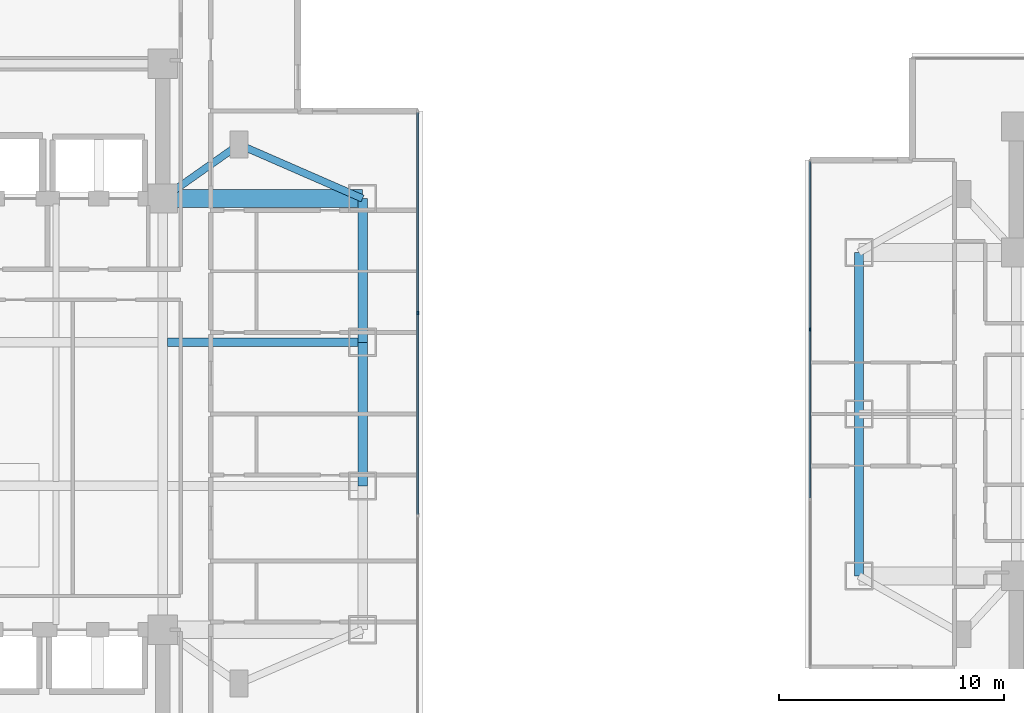
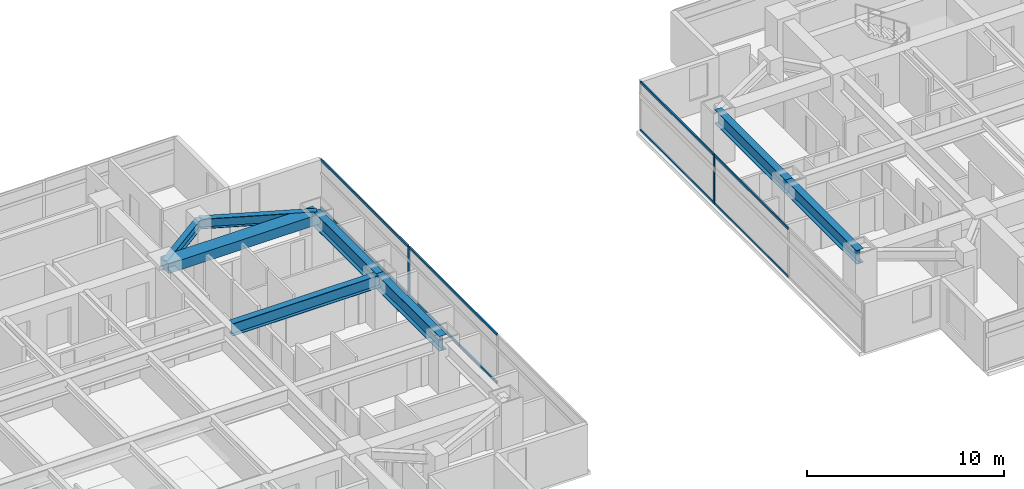
# One storey, part 5 of 27: 10 members, 8 beams, 2 elements without a shape of their own.
"""IFC4 building model written with IfcOpenShell, lengths in metres."""

from ifc_helpers import new_model, si_unit, direction, frame, origin, origin_2d, place, context, subcontext, project, spatial, rectangle, i_section, extrude, material, material_profile, profile_set, type_object, element, aggregate, save


model = new_model("IFC4")

# Units and contexts
model_context = context("Model", 3, precision=1e-05, world=origin(), true_north=direction((0.0, 1.0)))
body_context = subcontext(model_context, "Body", "Model", "MODEL_VIEW")
ifc_project = project(units=[si_unit("LENGTHUNIT", "METRE"), si_unit("AREAUNIT", "SQUARE_METRE"), si_unit("VOLUMEUNIT", "CUBIC_METRE"), si_unit("PLANEANGLEUNIT", "RADIAN"), si_unit("MASSUNIT", "GRAM", prefix="KILO")], contexts=[model_context])

# Site, building, storey
site_placement = place(None, origin())
site = spatial("IfcSite", under=ifc_project, at=site_placement, CompositionType="ELEMENT")
building_placement = place(site_placement, origin())
building = spatial("IfcBuilding", under=site, at=building_placement, Name="Mirazonda Arch Towers", CompositionType="ELEMENT")
storey_placement = place(building_placement, frame((0.0, 0.0, 55.39990234375)))
storey = spatial("IfcBuildingStorey", under=building, at=storey_placement, Name="L15", CompositionType="ELEMENT", Elevation=55.39990234375)

# Beams
ifc_material_1 = material(Name="Steel ASTM A992 Grade 50", Category="steel")
ifc_material_profile_1 = material_profile(ifc_material_1, i_section(OverallWidth=0.39990234375, OverallDepth=0.85595703125, WebThickness=0.018310546875, FlangeThickness=0.029296875, at=origin_2d()), Name="W33X201")
ifc_profile_set_1 = profile_set([ifc_material_profile_1], Name="Steel ASTM A992 Grade 50")
beam_type_1 = type_object("IfcBeamType", Name="BM-EXT-W33X201", PredefinedType="USERDEFINED", material=ifc_profile_set_1)
for number, where, z_axis, x_axis, name in (
    (1, (61.0, 20.800048828125, 2.632080078125), (0.0, 1.0, 0.0), (-1.0, 0.0, 0.0), "L15 Floor Beam BM-T2-L15-NS-W-20"),
    (2, (61.0, 28.0, 2.632080078125), (0.0, 1.0, 0.0), (-1.0, 0.0, 0.0), "L15 Floor Beam BM-T2-L15-NS-W-28"),
):
    element("IfcBeam", number, at=place(storey_placement, frame(where, z_axis=z_axis, x_axis=x_axis)), inside=storey, type_object=beam_type_1, Name=name, ObjectType="GIRDER", PredefinedType="USERDEFINED", context=body_context, shape_type="SweptSolid", body=[
        extrude(i_section(OverallWidth=0.39990234375, OverallDepth=0.85595703125, WebThickness=0.018310546875, FlangeThickness=0.029296875, at=origin_2d()), origin(), (0.0, 0.0, 1.0), 7.199951171875),
    ])
ifc_material_profile_2 = material_profile(ifc_material_1, i_section(OverallWidth=0.41796875, OverallDepth=0.927001953125, WebThickness=0.019287109375, FlangeThickness=0.031982421875, at=origin_2d()), Name="W36X231")
ifc_profile_set_2 = profile_set([ifc_material_profile_2], Name="Steel ASTM A992 Grade 50")
beam_type_2 = type_object("IfcBeamType", Name="BM-EXT-W36X231", PredefinedType="USERDEFINED", material=ifc_profile_set_2)
beam_1_placement = place(storey_placement, frame((38.89990234375, 24.800048828125, 2.5966796875), z_axis=(0.0, 1.0, 0.0), x_axis=(-1.0, 0.0, 0.0)))
element("IfcBeam", 3, at=beam_1_placement, inside=storey, type_object=beam_type_2, Name="L15 Floor Beam BM-T1-L15-NS-E-24", ObjectType="GIRDER", PredefinedType="USERDEFINED", context=body_context, shape_type="SweptSolid", body=[
    extrude(i_section(OverallWidth=0.41796875, OverallDepth=0.927001953125, WebThickness=0.019287109375, FlangeThickness=0.031982421875, at=origin_2d()), origin(), (0.0, 0.0, 1.0), 6.39990234375),
])
beam_2_placement = place(storey_placement, frame((38.89990234375, 31.199951171875, 2.5966796875), z_axis=(0.0, 1.0, 0.0), x_axis=(-1.0, 0.0, 0.0)))
element("IfcBeam", 4, at=beam_2_placement, inside=storey, type_object=beam_type_2, Name="L15 Floor Beam BM-T1-L15-NS-E-31", ObjectType="GIRDER", PredefinedType="USERDEFINED", context=body_context, shape_type="SweptSolid", body=[
    extrude(i_section(OverallWidth=0.41796875, OverallDepth=0.927001953125, WebThickness=0.019287109375, FlangeThickness=0.031982421875, at=origin_2d()), origin(), (0.0, 0.0, 1.0), 6.400146484375),
])
ifc_material_profile_3 = material_profile(ifc_material_1, i_section(OverallWidth=0.324951171875, OverallDepth=0.615966796875, WebThickness=0.013916015625, FlangeThickness=0.021484375, at=origin_2d()), Name="W24X117")
ifc_profile_set_3 = profile_set([ifc_material_profile_3], Name="Steel ASTM A992 Grade 50")
beam_type_3 = type_object("IfcBeamType", Name="BM-INT-W24X117", PredefinedType="BEAM", material=ifc_profile_set_3)
beam_3_placement = place(storey_placement, frame((33.39990234375, 40.0, 2.752197265625), z_axis=(-0.816971114901, -0.576678591087, 0.0), x_axis=(0.576678591087, -0.816971114901, 0.0)))
element("IfcBeam", 5, at=beam_3_placement, inside=storey, type_object=beam_type_3, Name="L15 Floor Beam BM-T1-L15-PL-NE1", PredefinedType="BEAM", context=body_context, shape_type="SweptSolid", body=[
    extrude(i_section(OverallWidth=0.324951171875, OverallDepth=0.615966796875, WebThickness=0.013916015625, FlangeThickness=0.021484375, at=origin_2d()), origin(), (0.0, 0.0, 1.0), 4.16162109375),
])
beam_4_placement = place(storey_placement, frame((33.39990234375, 40.0, 2.752197265625), z_axis=(0.916545343703, -0.399930785183, 0.0), x_axis=(0.399930785183, 0.916545343703, 0.0)))
element("IfcBeam", 6, at=beam_4_placement, inside=storey, type_object=beam_type_3, Name="L15 Floor Beam BM-T1-L15-PL-NE2", PredefinedType="BEAM", context=body_context, shape_type="SweptSolid", body=[
    extrude(i_section(OverallWidth=0.324951171875, OverallDepth=0.615966796875, WebThickness=0.013916015625, FlangeThickness=0.021484375, at=origin_2d()), origin(), (0.0, 0.0, 1.0), 6.000732421875),
])
ifc_material_profile_4 = material_profile(ifc_material_1, i_section(OverallWidth=0.381103515625, OverallDepth=0.77294921875, WebThickness=0.0166015625, FlangeThickness=0.027099609375, at=origin_2d()), Name="W30X173")
ifc_profile_set_4 = profile_set([ifc_material_profile_4], Name="Steel ASTM A992 Grade 50")
beam_type_4 = type_object("IfcBeamType", Name="BM-INT-W30X173", PredefinedType="USERDEFINED", material=ifc_profile_set_4)
beam_5_placement = place(storey_placement, frame((30.21142578125, 31.199951171875, 2.673583984375), z_axis=(1.0, 0.0, 0.0), x_axis=(0.0, 1.0, 0.0)))
element("IfcBeam", 7, at=beam_5_placement, inside=storey, type_object=beam_type_4, Name="L15 Floor Beam BM-T1-L15-GE3", ObjectType="GIRDER", PredefinedType="USERDEFINED", context=body_context, shape_type="SweptSolid", body=[
    extrude(i_section(OverallWidth=0.381103515625, OverallDepth=0.77294921875, WebThickness=0.0166015625, FlangeThickness=0.027099609375, at=origin_2d()), origin(), (0.0, 0.0, 1.0), 8.6884765625),
])
ifc_material_2 = material(Name="Concrete C60/75", Category="concrete")
ifc_material_profile_5 = material_profile(ifc_material_2, rectangle(XDim=0.800048828125, YDim=0.60009765625, at=origin_2d()), Name="RCCB800x600")
ifc_profile_set_5 = profile_set([ifc_material_profile_5], Name="Concrete C60/75")
beam_type_5 = type_object("IfcBeamType", Name="CB-INT-RCCB800x600", PredefinedType="SPANDREL", material=ifc_profile_set_5)
beam_6_placement = place(storey_placement, frame((30.0, 37.60009765625, 2.760009765625), z_axis=(1.0, 0.0, 0.0), x_axis=(0.0, 1.0, 0.0)))
element("IfcBeam", 8, at=beam_6_placement, inside=storey, type_object=beam_type_5, Name="L15 Floor Beam CBC-T1-L15-NE", PredefinedType="SPANDREL", context=body_context, shape_type="SweptSolid", body=[
    extrude(rectangle(XDim=0.800048828125, YDim=0.60009765625, at=origin_2d()), origin(), (0.0, 0.0, 1.0), 8.89990234375),
])

# Curtain wall, member
ifc_material_3 = material(Name="Anodised Aluminium and Low-E Glass", Category="aluminium")
curtain_wall_type = type_object("IfcCurtainWallType", Name="CW-HTL-UNIT", PredefinedType="NOTDEFINED", material=ifc_material_3)
curtain_wall_1_placement = place(storey_placement, origin())
curtain_wall_1 = element("IfcCurtainWall", 9, at=curtain_wall_1_placement, inside=storey, type_object=curtain_wall_type, Name="L15 T1 E Facade CW-L15-T1-E", PredefinedType="NOTDEFINED")
ifc_material_4 = material(Name="Anodised Aluminium Alloy", Category="aluminium")
ifc_material_profile_6 = material_profile(ifc_material_4, rectangle(XDim=0.074951171875, YDim=0.1650390625, at=origin_2d()), Name="ALU-MULL-75x165")
ifc_profile_set_6 = profile_set([ifc_material_profile_6], Name="Anodised Aluminium Alloy")
member_type_1 = type_object("IfcMemberType", Name="MULL-CW-HTL-UNIT", PredefinedType="MULLION", material=ifc_profile_set_6)
member_1_placement = place(storey_placement, frame((41.360107421875, 32.499267578125, 0.0), z_axis=(0.0, 0.0, 1.0), x_axis=(-1.0, 0.0, 0.0)))
member_1 = element("IfcMember", 10, at=member_1_placement, type_object=member_type_1, Name="CW-112 mullion 3", PredefinedType="MULLION", context=body_context, shape_type="SweptSolid", body=[
    extrude(rectangle(XDim=0.074951171875, YDim=0.1650390625, at=origin_2d()), origin(), (0.0, 0.0, 1.0), 3.0400390625),
])

curtain_wall_2_placement = place(storey_placement, origin())
curtain_wall_2 = element("IfcCurtainWall", 11, at=curtain_wall_2_placement, inside=storey, type_object=curtain_wall_type, Name="L15 T2 W Facade CW-L15-T2-W", PredefinedType="NOTDEFINED")
member_2_placement = place(storey_placement, frame((58.822021484375, 31.77099609375, 0.0), z_axis=(0.0, 0.0, 1.0), x_axis=(1.0, 0.0, 0.0)))
member_2 = element("IfcMember", 12, at=member_2_placement, type_object=member_type_1, Name="CW-112 mullion 2", PredefinedType="MULLION", context=body_context, shape_type="SweptSolid", body=[
    extrude(rectangle(XDim=0.074951171875, YDim=0.1650390625, at=origin_2d()), origin(), (0.0, 0.0, 1.0), 3.0400390625),
])

# Member
ifc_material_profile_7 = material_profile(ifc_material_4, rectangle(XDim=0.074951171875, YDim=0.14501953125, at=origin_2d()), Name="ALU-TRAN-75x145")
ifc_profile_set_7 = profile_set([ifc_material_profile_7], Name="Anodised Aluminium Alloy")
member_type_2 = type_object("IfcMemberType", Name="TRAN-CW-HTL-UNIT", PredefinedType="USERDEFINED", material=ifc_profile_set_7)
member_3_placement = place(storey_placement, frame((41.360107421875, 23.5380859375, 0.03759765625), z_axis=(0.0, 1.0, 0.0), x_axis=(-1.0, 0.0, 0.0)))
member_3 = element("IfcMember", 13, at=member_3_placement, type_object=member_type_2, Name="CW-112 transom 2.1", ObjectType="TRANSOM", PredefinedType="USERDEFINED", context=body_context, shape_type="SweptSolid", body=[
    extrude(rectangle(XDim=0.074951171875, YDim=0.14501953125, at=origin_2d()), origin(), (0.0, 0.0, 1.0), 8.923828125),
])

member_4_placement = place(storey_placement, frame((41.360107421875, 23.5380859375, 3.002685546875), z_axis=(0.0, 1.0, 0.0), x_axis=(-1.0, 0.0, 0.0)))
member_4 = element("IfcMember", 14, at=member_4_placement, type_object=member_type_2, Name="CW-112 transom 2.2", ObjectType="TRANSOM", PredefinedType="USERDEFINED", context=body_context, shape_type="SweptSolid", body=[
    extrude(rectangle(XDim=0.074951171875, YDim=0.14501953125, at=origin_2d()), origin(), (0.0, 0.0, 1.0), 8.923828125),
])

member_5_placement = place(storey_placement, frame((41.360107421875, 32.536865234375, 0.03759765625), z_axis=(0.0, 1.0, 0.0), x_axis=(-1.0, 0.0, 0.0)))
member_5 = element("IfcMember", 15, at=member_5_placement, type_object=member_type_2, Name="CW-112 transom 3.1", ObjectType="TRANSOM", PredefinedType="USERDEFINED", context=body_context, shape_type="SweptSolid", body=[
    extrude(rectangle(XDim=0.074951171875, YDim=0.14501953125, at=origin_2d()), origin(), (0.0, 0.0, 1.0), 8.88623046875),
])

member_6_placement = place(storey_placement, frame((41.360107421875, 32.536865234375, 3.002685546875), z_axis=(0.0, 1.0, 0.0), x_axis=(-1.0, 0.0, 0.0)))
member_6 = element("IfcMember", 16, at=member_6_placement, type_object=member_type_2, Name="CW-112 transom 3.2", ObjectType="TRANSOM", PredefinedType="USERDEFINED", context=body_context, shape_type="SweptSolid", body=[
    extrude(rectangle(XDim=0.074951171875, YDim=0.14501953125, at=origin_2d()), origin(), (0.0, 0.0, 1.0), 8.88623046875),
])

aggregate(curtain_wall_1, [member_1, member_3, member_4, member_5, member_6])

member_7_placement = place(storey_placement, frame((58.822021484375, 39.23828125, 0.03759765625), z_axis=(0.0, -1.0, 0.0), x_axis=(1.0, 0.0, 0.0)))
member_7 = element("IfcMember", 17, at=member_7_placement, type_object=member_type_2, Name="CW-112 transom 1.1", ObjectType="TRANSOM", PredefinedType="USERDEFINED", context=body_context, shape_type="SweptSolid", body=[
    extrude(rectangle(XDim=0.074951171875, YDim=0.14501953125, at=origin_2d()), origin(), (0.0, 0.0, 1.0), 7.4296875),
])

member_8_placement = place(storey_placement, frame((58.822021484375, 39.23828125, 3.002685546875), z_axis=(0.0, -1.0, 0.0), x_axis=(1.0, 0.0, 0.0)))
member_8 = element("IfcMember", 18, at=member_8_placement, type_object=member_type_2, Name="CW-112 transom 1.2", ObjectType="TRANSOM", PredefinedType="USERDEFINED", context=body_context, shape_type="SweptSolid", body=[
    extrude(rectangle(XDim=0.074951171875, YDim=0.14501953125, at=origin_2d()), origin(), (0.0, 0.0, 1.0), 7.4296875),
])

member_9_placement = place(storey_placement, frame((58.822021484375, 31.733642578125, 0.03759765625), z_axis=(0.0, -1.0, 0.0), x_axis=(1.0, 0.0, 0.0)))
member_9 = element("IfcMember", 19, at=member_9_placement, type_object=member_type_2, Name="CW-112 transom 2.1", ObjectType="TRANSOM", PredefinedType="USERDEFINED", context=body_context, shape_type="SweptSolid", body=[
    extrude(rectangle(XDim=0.074951171875, YDim=0.14501953125, at=origin_2d()), origin(), (0.0, 0.0, 1.0), 7.46728515625),
])

member_10_placement = place(storey_placement, frame((58.822021484375, 31.733642578125, 3.002685546875), z_axis=(0.0, -1.0, 0.0), x_axis=(1.0, 0.0, 0.0)))
member_10 = element("IfcMember", 20, at=member_10_placement, type_object=member_type_2, Name="CW-112 transom 2.2", ObjectType="TRANSOM", PredefinedType="USERDEFINED", context=body_context, shape_type="SweptSolid", body=[
    extrude(rectangle(XDim=0.074951171875, YDim=0.14501953125, at=origin_2d()), origin(), (0.0, 0.0, 1.0), 7.46728515625),
])

aggregate(curtain_wall_2, [member_2, member_7, member_8, member_9, member_10])

save(model, "model.ifc")
